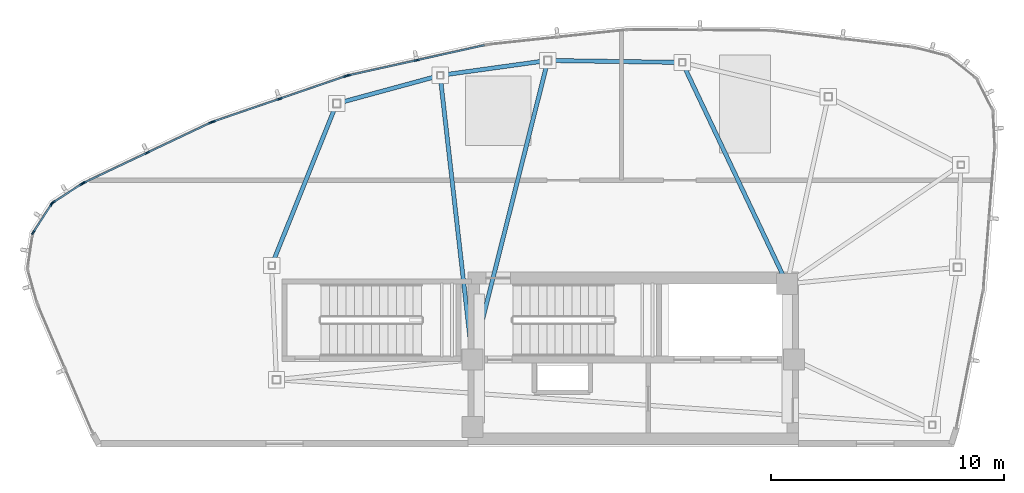
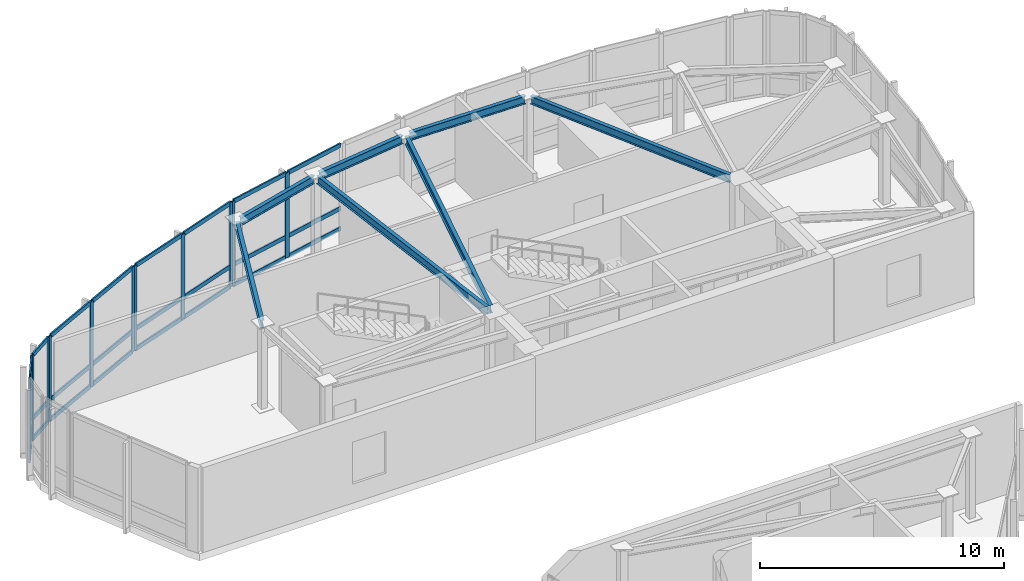
# One storey, part 6 of 15: 36 members, 7 beams, 5 elements without a shape of their own.
"""IFC4 building model written with IfcOpenShell, lengths in metres."""

from ifc_helpers import new_model, si_unit, direction, frame, origin, origin_2d, place, context, subcontext, project, spatial, hollow_rectangle, i_section, extrude, source, transform, mapped, material, layer, layer_set, material_profile, profile_set, type_object, type_shapes, element, aggregate, save


model = new_model("IFC4")

# Units and contexts
model_context = context("Model", 3, precision=1e-05, world=origin(), true_north=direction((0.0, 1.0)))
body_context = subcontext(model_context, "Body", "Model", "MODEL_VIEW")
ifc_project = project(units=[si_unit("LENGTHUNIT", "METRE"), si_unit("AREAUNIT", "SQUARE_METRE"), si_unit("VOLUMEUNIT", "CUBIC_METRE"), si_unit("PLANEANGLEUNIT", "RADIAN"), si_unit("MASSUNIT", "GRAM", prefix="KILO")], contexts=[model_context])

# Site, building, storey
site_placement = place(None, origin())
site = spatial("IfcSite", under=ifc_project, at=site_placement, CompositionType="ELEMENT")
building_placement = place(site_placement, origin())
building = spatial("IfcBuilding", under=site, at=building_placement, Name="Tavelor Broadcast Tower", CompositionType="ELEMENT")
storey_placement = place(building_placement, frame((0.0, 0.0, 341.300048828125)))
storey = spatial("IfcBuildingStorey", under=building, at=storey_placement, Name="L81", CompositionType="ELEMENT", Elevation=341.300048828125)

# Beams
ifc_material_1 = material(Name="Steel S355", Category="steel")
ifc_material_profile_1 = material_profile(ifc_material_1, i_section(OverallWidth=0.179931640625, OverallDepth=0.39990234375, WebThickness=0.008544921875, FlangeThickness=0.013427734375, at=origin_2d()), Name="IPE 400")
ifc_profile_set_1 = profile_set([ifc_material_profile_1], Name="Steel S355")
beam_type = type_object("IfcBeamType", Name="Crown Ring Spandrel Beam IPE400", PredefinedType="SPANDREL", material=ifc_profile_set_1)
beam_1_placement = place(storey_placement, frame((37.20654296875, 58.77197265625, 4.050048828125), z_axis=(-0.372319972441, -0.928104432767, 0.0), x_axis=(0.928104432767, -0.372319972441, 0.0)))
element("IfcBeam", 1, at=beam_1_placement, inside=storey, type_object=beam_type, Name="L81 Crown Peak A Ring Spandrel 1", PredefinedType="SPANDREL", context=body_context, shape_type="SweptSolid", body=[
    extrude(i_section(OverallWidth=0.179931640625, OverallDepth=0.39990234375, WebThickness=0.008544921875, FlangeThickness=0.013427734375, at=origin_2d()), origin(), (0.0, 0.0, 1.0), 7.1552734375),
])
beam_2_placement = place(storey_placement, frame((51.950927734375, 60.703857421875, 4.050048828125), z_axis=(-0.999890824975, 0.01477626921, 0.0), x_axis=(-0.01477626921, -0.999890824975, 0.0)))
element("IfcBeam", 2, at=beam_2_placement, inside=storey, type_object=beam_type, Name="L81 Crown Peak A Ring Spandrel 8", PredefinedType="SPANDREL", context=body_context, shape_type="SweptSolid", body=[
    extrude(i_section(OverallWidth=0.179931640625, OverallDepth=0.39990234375, WebThickness=0.008544921875, FlangeThickness=0.013427734375, at=origin_2d()), origin(), (0.0, 0.0, 1.0), 5.435791015625),
])
beam_3_placement = place(storey_placement, frame((56.415283203125, 51.590576171875, 4.050048828125), z_axis=(-0.427748000898, 0.903898029497, 0.0), x_axis=(-0.903898029497, -0.427748000898, 0.0)))
element("IfcBeam", 3, at=beam_3_placement, inside=storey, type_object=beam_type, Name="L81 Crown Peak A Radial Beam 8", PredefinedType="SPANDREL", context=body_context, shape_type="SweptSolid", body=[
    extrude(i_section(OverallWidth=0.179931640625, OverallDepth=0.39990234375, WebThickness=0.008544921875, FlangeThickness=0.013427734375, at=origin_2d()), origin(), (0.0, 0.0, 1.0), 9.926513671875),
])
beam_4_placement = place(storey_placement, frame((46.160400390625, 60.762451171875, 4.050048828125), z_axis=(-0.990512514029, -0.13742255838, 0.0), x_axis=(0.13742255838, -0.990512514029, 0.0)))
element("IfcBeam", 4, at=beam_4_placement, inside=storey, type_object=beam_type, Name="L81 Crown Peak A Ring Spandrel 9", PredefinedType="SPANDREL", context=body_context, shape_type="SweptSolid", body=[
    extrude(i_section(OverallWidth=0.179931640625, OverallDepth=0.39990234375, WebThickness=0.008544921875, FlangeThickness=0.013427734375, at=origin_2d()), origin(), (0.0, 0.0, 1.0), 4.334716796875),
])
beam_5_placement = place(storey_placement, frame((43.20556640625, 48.368896484375, 4.050048828125), z_axis=(0.244522996769, 0.969643493275, 0.0), x_axis=(-0.969643493275, 0.244522996769, 0.0)))
element("IfcBeam", 5, at=beam_5_placement, inside=storey, type_object=beam_type, Name="L81 Crown Peak A Radial Beam 9", PredefinedType="SPANDREL", context=body_context, shape_type="SweptSolid", body=[
    extrude(i_section(OverallWidth=0.179931640625, OverallDepth=0.39990234375, WebThickness=0.008544921875, FlangeThickness=0.013427734375, at=origin_2d()), origin(), (0.0, 0.0, 1.0), 12.628173828125),
])
beam_6_placement = place(storey_placement, frame((41.5673828125, 60.105712890625, 4.050048828125), z_axis=(-0.964933753027, -0.262493528053, 0.0), x_axis=(0.262493528053, -0.964933753027, 0.0)))
element("IfcBeam", 6, at=beam_6_placement, inside=storey, type_object=beam_type, Name="L81 Crown Peak A Ring Spandrel 10", PredefinedType="SPANDREL", context=body_context, shape_type="SweptSolid", body=[
    extrude(i_section(OverallWidth=0.179931640625, OverallDepth=0.39990234375, WebThickness=0.008544921875, FlangeThickness=0.013427734375, at=origin_2d()), origin(), (0.0, 0.0, 1.0), 4.27197265625),
])
beam_7_placement = place(storey_placement, frame((43.05126953125, 48.379150390625, 4.050048828125), z_axis=(-0.112824398256, 0.993614943103, 0.0), x_axis=(-0.993614943103, -0.112824398256, 0.0)))
element("IfcBeam", 7, at=beam_7_placement, inside=storey, type_object=beam_type, Name="L81 Crown Peak A Radial Beam 10", PredefinedType="SPANDREL", context=body_context, shape_type="SweptSolid", body=[
    extrude(i_section(OverallWidth=0.179931640625, OverallDepth=0.39990234375, WebThickness=0.008544921875, FlangeThickness=0.013427734375, at=origin_2d()), origin(), (0.0, 0.0, 1.0), 11.689453125),
])

# Curtain wall, members
ifc_material_2 = material(Name="Architectural Anodized Aluminium", Category="aluminium")
ifc_layer = layer(ifc_material_2, 0.2099609375)
ifc_layer_set = layer_set([ifc_layer], Name="Architectural Anodized Aluminium")
curtain_wall_type = type_object("IfcCurtainWallType", Name="Split-Crown Beacon Curtain Wall CW06", PredefinedType="NOTDEFINED", material=ifc_layer_set)
curtain_wall_1_placement = place(storey_placement, origin())
curtain_wall_1 = element("IfcCurtainWall", 8, at=curtain_wall_1_placement, inside=storey, type_object=curtain_wall_type, Name="L81 Curtain Wall CW06 Run 938", PredefinedType="NOTDEFINED")
ifc_material_profile_2 = material_profile(ifc_material_2, hollow_rectangle(XDim=0.072021484375, YDim=0.2099609375, WallThickness=0.02197265625, at=origin_2d()), Name="RHS 72x210x22")
ifc_profile_set_2 = profile_set([ifc_material_profile_2], Name="Architectural Anodized Aluminium")
member_type_1 = type_object("IfcMemberType", Name="CW06 Extruded Aluminium Mullion 72x210", PredefinedType="MULLION", material=ifc_profile_set_2)
shared_shape_1 = source(origin(), body_context, "Body", "SweptSolid", [
    extrude(hollow_rectangle(XDim=0.072021484375, YDim=0.2099609375, WallThickness=0.02197265625, at=origin_2d()), origin(), (0.0, 0.0, 1.0), 4.25),
])
type_shapes(member_type_1, [shared_shape_1])
member_1_placement = place(storey_placement, frame((40.712158203125, 60.797119140625, 0.0), z_axis=(0.0, 0.0, 1.0), x_axis=(0.216711754214, -0.976235635278, 0.0)))
member_1 = element("IfcMember", 9, at=member_1_placement, type_object=member_type_1, Name="CW06 mullion 2", PredefinedType="MULLION", context=body_context, shape_type="MappedRepresentation", body=[
    mapped(shared_shape_1, transform((0.0, 0.0, 0.0), scale=1.0)),
])
member_2_placement = place(storey_placement, frame((37.76953125, 60.14404296875, 0.0), z_axis=(0.0, 0.0, 1.0), x_axis=(0.216711754214, -0.976235635278, 0.0)))
member_2 = element("IfcMember", 10, at=member_2_placement, type_object=member_type_1, Name="CW06 mullion 3", PredefinedType="MULLION", context=body_context, shape_type="MappedRepresentation", body=[
    mapped(shared_shape_1, transform((0.0, 0.0, 0.0), scale=1.0)),
])

curtain_wall_2_placement = place(storey_placement, origin())
curtain_wall_2 = element("IfcCurtainWall", 11, at=curtain_wall_2_placement, inside=storey, type_object=curtain_wall_type, Name="L81 Curtain Wall CW06 Run 939", PredefinedType="NOTDEFINED")
member_3_placement = place(storey_placement, frame((37.67138671875, 60.116455078125, 0.0), z_axis=(0.0, 0.0, 1.0), x_axis=(0.324727891803, -0.945807483733, 0.0)))
member_3 = element("IfcMember", 12, at=member_3_placement, type_object=member_type_1, Name="CW06 mullion 1", PredefinedType="MULLION", context=body_context, shape_type="MappedRepresentation", body=[
    mapped(shared_shape_1, transform((0.0, 0.0, 0.0), scale=1.0)),
])
member_4_placement = place(storey_placement, frame((34.82080078125, 59.1376953125, 0.0), z_axis=(0.0, 0.0, 1.0), x_axis=(0.324727891803, -0.945807483733, 0.0)))
member_4 = element("IfcMember", 13, at=member_4_placement, type_object=member_type_1, Name="CW06 mullion 2", PredefinedType="MULLION", context=body_context, shape_type="MappedRepresentation", body=[
    mapped(shared_shape_1, transform((0.0, 0.0, 0.0), scale=1.0)),
])
member_5_placement = place(storey_placement, frame((31.969970703125, 58.158935546875, 0.0), z_axis=(0.0, 0.0, 1.0), x_axis=(0.324727891803, -0.945807483733, 0.0)))
member_5 = element("IfcMember", 14, at=member_5_placement, type_object=member_type_1, Name="CW06 mullion 3", PredefinedType="MULLION", context=body_context, shape_type="MappedRepresentation", body=[
    mapped(shared_shape_1, transform((0.0, 0.0, 0.0), scale=1.0)),
])

curtain_wall_3_placement = place(storey_placement, origin())
curtain_wall_3 = element("IfcCurtainWall", 15, at=curtain_wall_3_placement, inside=storey, type_object=curtain_wall_type, Name="L81 Curtain Wall CW06 Run 940", PredefinedType="NOTDEFINED")
member_6_placement = place(storey_placement, frame((31.87548828125, 58.120361328125, 0.0), z_axis=(0.0, 0.0, 1.0), x_axis=(0.428616295259, -0.903486619402, 0.0)))
member_6 = element("IfcMember", 16, at=member_6_placement, type_object=member_type_1, Name="CW06 mullion 1", PredefinedType="MULLION", context=body_context, shape_type="MappedRepresentation", body=[
    mapped(shared_shape_1, transform((0.0, 0.0, 0.0), scale=1.0)),
])
member_7_placement = place(storey_placement, frame((29.15283203125, 56.828857421875, 0.0), z_axis=(0.0, 0.0, 1.0), x_axis=(0.428616295259, -0.903486619402, 0.0)))
member_7 = element("IfcMember", 17, at=member_7_placement, type_object=member_type_1, Name="CW06 mullion 2", PredefinedType="MULLION", context=body_context, shape_type="MappedRepresentation", body=[
    mapped(shared_shape_1, transform((0.0, 0.0, 0.0), scale=1.0)),
])
member_8_placement = place(storey_placement, frame((26.430419921875, 55.537109375, 0.0), z_axis=(0.0, 0.0, 1.0), x_axis=(0.428616295259, -0.903486619402, 0.0)))
member_8 = element("IfcMember", 18, at=member_8_placement, type_object=member_type_1, Name="CW06 mullion 3", PredefinedType="MULLION", context=body_context, shape_type="MappedRepresentation", body=[
    mapped(shared_shape_1, transform((0.0, 0.0, 0.0), scale=1.0)),
])

curtain_wall_4_placement = place(storey_placement, origin())
curtain_wall_4 = element("IfcCurtainWall", 19, at=curtain_wall_4_placement, inside=storey, type_object=curtain_wall_type, Name="L81 Curtain Wall CW06 Run 941", PredefinedType="NOTDEFINED")
member_9_placement = place(storey_placement, frame((26.341552734375, 55.48779296875, 0.0), z_axis=(0.0, 0.0, 1.0), x_axis=(0.542387166107, -0.840128658029, 0.0)))
member_9 = element("IfcMember", 20, at=member_9_placement, type_object=member_type_1, Name="CW06 mullion 1", PredefinedType="MULLION", context=body_context, shape_type="MappedRepresentation", body=[
    mapped(shared_shape_1, transform((0.0, 0.0, 0.0), scale=1.0)),
])
member_10_placement = place(storey_placement, frame((25.115478515625, 54.6962890625, 0.0), z_axis=(0.0, 0.0, 1.0), x_axis=(0.542387166107, -0.840128658029, 0.0)))
member_10 = element("IfcMember", 21, at=member_10_placement, type_object=member_type_1, Name="CW06 mullion 2", PredefinedType="MULLION", context=body_context, shape_type="MappedRepresentation", body=[
    mapped(shared_shape_1, transform((0.0, 0.0, 0.0), scale=1.0)),
])

curtain_wall_5_placement = place(storey_placement, origin())
curtain_wall_5 = element("IfcCurtainWall", 22, at=curtain_wall_5_placement, inside=storey, type_object=curtain_wall_type, Name="L81 Curtain Wall CW06 Run 942", PredefinedType="NOTDEFINED")
member_11_placement = place(storey_placement, frame((25.044921875, 54.625732421875, 0.0), z_axis=(0.0, 0.0, 1.0), x_axis=(0.840120473987, -0.542399842541, 0.0)))
member_11 = element("IfcMember", 23, at=member_11_placement, type_object=member_type_1, Name="CW06 mullion 1", PredefinedType="MULLION", context=body_context, shape_type="MappedRepresentation", body=[
    mapped(shared_shape_1, transform((0.0, 0.0, 0.0), scale=1.0)),
])
member_12_placement = place(storey_placement, frame((24.264892578125, 53.41748046875, 0.0), z_axis=(0.0, 0.0, 1.0), x_axis=(0.840120473987, -0.542399842541, 0.0)))
member_12 = element("IfcMember", 24, at=member_12_placement, type_object=member_type_1, Name="CW06 mullion 2", PredefinedType="MULLION", context=body_context, shape_type="MappedRepresentation", body=[
    mapped(shared_shape_1, transform((0.0, 0.0, 0.0), scale=1.0)),
])

# Member
ifc_material_profile_3 = material_profile(ifc_material_2, hollow_rectangle(XDim=0.072021484375, YDim=0.2099609375, WallThickness=0.02197265625, at=origin_2d()), Name="RHS 72x210x22")
ifc_profile_set_3 = profile_set([ifc_material_profile_3], Name="Architectural Anodized Aluminium")
member_type_2 = type_object("IfcMemberType", Name="CW06 Extruded Aluminium Transom 72x210", PredefinedType="USERDEFINED", material=ifc_profile_set_3)
shared_shape_2 = source(origin(), body_context, "Body", "SweptSolid", [
    extrude(hollow_rectangle(XDim=0.072021484375, YDim=0.2099609375, WallThickness=0.02197265625, at=origin_2d()), origin(), (0.0, 0.0, 1.0), 1.38720703125),
])
member_13_placement = place(storey_placement, frame((26.311279296875, 55.46826171875, 0.035888671875), z_axis=(-0.840136275534, -0.542375366819, 0.0), x_axis=(0.542375366819, -0.840136275534, 0.0)))
member_13 = element("IfcMember", 25, at=member_13_placement, type_object=member_type_2, Name="CW06 transom 1.1", ObjectType="TRANSOM", PredefinedType="USERDEFINED", context=body_context, shape_type="MappedRepresentation", body=[
    mapped(shared_shape_2, transform((0.0, 0.0, 0.0), scale=1.0)),
])

member_14_placement = place(storey_placement, frame((26.311279296875, 55.46826171875, 1.050048828125), z_axis=(-0.840136275534, -0.542375366819, 0.0), x_axis=(0.542375366819, -0.840136275534, 0.0)))
member_14 = element("IfcMember", 26, at=member_14_placement, type_object=member_type_2, Name="CW06 transom 1.2", ObjectType="TRANSOM", PredefinedType="USERDEFINED", context=body_context, shape_type="MappedRepresentation", body=[
    mapped(shared_shape_2, transform((0.0, 0.0, 0.0), scale=1.0)),
])

member_15_placement = place(storey_placement, frame((26.311279296875, 55.46826171875, 4.2138671875), z_axis=(-0.840136275534, -0.542375366819, 0.0), x_axis=(0.542375366819, -0.840136275534, 0.0)))
member_15 = element("IfcMember", 27, at=member_15_placement, type_object=member_type_2, Name="CW06 transom 1.3", ObjectType="TRANSOM", PredefinedType="USERDEFINED", context=body_context, shape_type="MappedRepresentation", body=[
    mapped(shared_shape_2, transform((0.0, 0.0, 0.0), scale=1.0)),
])

aggregate(curtain_wall_4, [member_9, member_10, member_13, member_14, member_15])

shared_shape_3 = source(origin(), body_context, "Body", "SweptSolid", [
    extrude(hollow_rectangle(XDim=0.072021484375, YDim=0.2099609375, WallThickness=0.02197265625, at=origin_2d()), origin(), (0.0, 0.0, 1.0), 1.3662109375),
])
member_16_placement = place(storey_placement, frame((25.025390625, 54.595458984375, 0.035888671875), z_axis=(-0.542391431499, -0.840125904276, 0.0), x_axis=(0.840125904276, -0.542391431499, 0.0)))
member_16 = element("IfcMember", 28, at=member_16_placement, type_object=member_type_2, Name="CW06 transom 1.1", ObjectType="TRANSOM", PredefinedType="USERDEFINED", context=body_context, shape_type="MappedRepresentation", body=[
    mapped(shared_shape_3, transform((0.0, 0.0, 0.0), scale=1.0)),
])

member_17_placement = place(storey_placement, frame((25.025390625, 54.595458984375, 1.050048828125), z_axis=(-0.542391431499, -0.840125904276, 0.0), x_axis=(0.840125904276, -0.542391431499, 0.0)))
member_17 = element("IfcMember", 29, at=member_17_placement, type_object=member_type_2, Name="CW06 transom 1.2", ObjectType="TRANSOM", PredefinedType="USERDEFINED", context=body_context, shape_type="MappedRepresentation", body=[
    mapped(shared_shape_3, transform((0.0, 0.0, 0.0), scale=1.0)),
])

member_18_placement = place(storey_placement, frame((25.025390625, 54.595458984375, 4.2138671875), z_axis=(-0.542391431499, -0.840125904276, 0.0), x_axis=(0.840125904276, -0.542391431499, 0.0)))
member_18 = element("IfcMember", 30, at=member_18_placement, type_object=member_type_2, Name="CW06 transom 1.3", ObjectType="TRANSOM", PredefinedType="USERDEFINED", context=body_context, shape_type="MappedRepresentation", body=[
    mapped(shared_shape_3, transform((0.0, 0.0, 0.0), scale=1.0)),
])

aggregate(curtain_wall_5, [member_11, member_12, member_16, member_17, member_18])

shared_shape_4 = source(origin(), body_context, "Body", "SweptSolid", [
    extrude(hollow_rectangle(XDim=0.072021484375, YDim=0.2099609375, WallThickness=0.02197265625, at=origin_2d()), origin(), (0.0, 0.0, 1.0), 2.94140625),
])
member_19_placement = place(storey_placement, frame((31.843017578125, 58.10498046875, 0.035888671875), z_axis=(-0.903482473707, -0.428625033921, 0.0), x_axis=(0.428625033921, -0.903482473707, 0.0)))
member_19 = element("IfcMember", 31, at=member_19_placement, type_object=member_type_2, Name="CW06 transom 1.1", ObjectType="TRANSOM", PredefinedType="USERDEFINED", context=body_context, shape_type="MappedRepresentation", body=[
    mapped(shared_shape_4, transform((0.0, 0.0, 0.0), scale=1.0)),
])

member_20_placement = place(storey_placement, frame((31.843017578125, 58.10498046875, 1.050048828125), z_axis=(-0.903482473707, -0.428625033921, 0.0), x_axis=(0.428625033921, -0.903482473707, 0.0)))
member_20 = element("IfcMember", 32, at=member_20_placement, type_object=member_type_2, Name="CW06 transom 1.2", ObjectType="TRANSOM", PredefinedType="USERDEFINED", context=body_context, shape_type="MappedRepresentation", body=[
    mapped(shared_shape_4, transform((0.0, 0.0, 0.0), scale=1.0)),
])

member_21_placement = place(storey_placement, frame((31.843017578125, 58.10498046875, 4.2138671875), z_axis=(-0.903482473707, -0.428625033921, 0.0), x_axis=(0.428625033921, -0.903482473707, 0.0)))
member_21 = element("IfcMember", 33, at=member_21_placement, type_object=member_type_2, Name="CW06 transom 1.3", ObjectType="TRANSOM", PredefinedType="USERDEFINED", context=body_context, shape_type="MappedRepresentation", body=[
    mapped(shared_shape_4, transform((0.0, 0.0, 0.0), scale=1.0)),
])

member_22_placement = place(storey_placement, frame((29.120361328125, 56.8134765625, 0.035888671875), z_axis=(-0.903482473707, -0.428625033921, 0.0), x_axis=(0.428625033921, -0.903482473707, 0.0)))
member_22 = element("IfcMember", 34, at=member_22_placement, type_object=member_type_2, Name="CW06 transom 2.1", ObjectType="TRANSOM", PredefinedType="USERDEFINED", context=body_context, shape_type="MappedRepresentation", body=[
    mapped(shared_shape_4, transform((0.0, 0.0, 0.0), scale=1.0)),
])

member_23_placement = place(storey_placement, frame((29.120361328125, 56.8134765625, 1.050048828125), z_axis=(-0.903482473707, -0.428625033921, 0.0), x_axis=(0.428625033921, -0.903482473707, 0.0)))
member_23 = element("IfcMember", 35, at=member_23_placement, type_object=member_type_2, Name="CW06 transom 2.2", ObjectType="TRANSOM", PredefinedType="USERDEFINED", context=body_context, shape_type="MappedRepresentation", body=[
    mapped(shared_shape_4, transform((0.0, 0.0, 0.0), scale=1.0)),
])

member_24_placement = place(storey_placement, frame((29.120361328125, 56.8134765625, 4.2138671875), z_axis=(-0.903482473707, -0.428625033921, 0.0), x_axis=(0.428625033921, -0.903482473707, 0.0)))
member_24 = element("IfcMember", 36, at=member_24_placement, type_object=member_type_2, Name="CW06 transom 2.3", ObjectType="TRANSOM", PredefinedType="USERDEFINED", context=body_context, shape_type="MappedRepresentation", body=[
    mapped(shared_shape_4, transform((0.0, 0.0, 0.0), scale=1.0)),
])

aggregate(curtain_wall_3, [member_6, member_7, member_8, member_19, member_20, member_21, member_22, member_23, member_24])

shared_shape_5 = source(origin(), body_context, "Body", "SweptSolid", [
    extrude(hollow_rectangle(XDim=0.072021484375, YDim=0.2099609375, WallThickness=0.02197265625, at=origin_2d()), origin(), (0.0, 0.0, 1.0), 2.94189453125),
])
member_25_placement = place(storey_placement, frame((43.619384765625, 61.442626953125, 0.035888671875), z_axis=(-0.976226095753, -0.216754723063, 0.0), x_axis=(0.216754723063, -0.976226095753, 0.0)))
member_25 = element("IfcMember", 37, at=member_25_placement, type_object=member_type_2, Name="CW06 transom 1.1", ObjectType="TRANSOM", PredefinedType="USERDEFINED", context=body_context, shape_type="MappedRepresentation", body=[
    mapped(shared_shape_5, transform((0.0, 0.0, 0.0), scale=1.0)),
])

member_26_placement = place(storey_placement, frame((43.619384765625, 61.442626953125, 1.050048828125), z_axis=(-0.976226095753, -0.216754723063, 0.0), x_axis=(0.216754723063, -0.976226095753, 0.0)))
member_26 = element("IfcMember", 38, at=member_26_placement, type_object=member_type_2, Name="CW06 transom 1.2", ObjectType="TRANSOM", PredefinedType="USERDEFINED", context=body_context, shape_type="MappedRepresentation", body=[
    mapped(shared_shape_5, transform((0.0, 0.0, 0.0), scale=1.0)),
])

member_27_placement = place(storey_placement, frame((43.619384765625, 61.442626953125, 4.2138671875), z_axis=(-0.976226095753, -0.216754723063, 0.0), x_axis=(0.216754723063, -0.976226095753, 0.0)))
member_27 = element("IfcMember", 39, at=member_27_placement, type_object=member_type_2, Name="CW06 transom 1.3", ObjectType="TRANSOM", PredefinedType="USERDEFINED", context=body_context, shape_type="MappedRepresentation", body=[
    mapped(shared_shape_5, transform((0.0, 0.0, 0.0), scale=1.0)),
])

shared_shape_6 = source(origin(), body_context, "Body", "SweptSolid", [
    extrude(hollow_rectangle(XDim=0.072021484375, YDim=0.2099609375, WallThickness=0.02197265625, at=origin_2d()), origin(), (0.0, 0.0, 1.0), 2.942138671875),
])
type_shapes(member_type_2, [shared_shape_2, shared_shape_3, shared_shape_4, shared_shape_5, shared_shape_6])
member_28_placement = place(storey_placement, frame((40.677001953125, 60.789306640625, 0.035888671875), z_axis=(-0.976247548022, -0.216658083118, 0.0), x_axis=(0.216658083118, -0.976247548022, 0.0)))
member_28 = element("IfcMember", 40, at=member_28_placement, type_object=member_type_2, Name="CW06 transom 2.1", ObjectType="TRANSOM", PredefinedType="USERDEFINED", context=body_context, shape_type="MappedRepresentation", body=[
    mapped(shared_shape_6, transform((0.0, 0.0, 0.0), scale=1.0)),
])

member_29_placement = place(storey_placement, frame((40.677001953125, 60.789306640625, 1.050048828125), z_axis=(-0.976247548022, -0.216658083118, 0.0), x_axis=(0.216658083118, -0.976247548022, 0.0)))
member_29 = element("IfcMember", 41, at=member_29_placement, type_object=member_type_2, Name="CW06 transom 2.2", ObjectType="TRANSOM", PredefinedType="USERDEFINED", context=body_context, shape_type="MappedRepresentation", body=[
    mapped(shared_shape_6, transform((0.0, 0.0, 0.0), scale=1.0)),
])

member_30_placement = place(storey_placement, frame((40.677001953125, 60.789306640625, 4.2138671875), z_axis=(-0.976247548022, -0.216658083118, 0.0), x_axis=(0.216658083118, -0.976247548022, 0.0)))
member_30 = element("IfcMember", 42, at=member_30_placement, type_object=member_type_2, Name="CW06 transom 2.3", ObjectType="TRANSOM", PredefinedType="USERDEFINED", context=body_context, shape_type="MappedRepresentation", body=[
    mapped(shared_shape_6, transform((0.0, 0.0, 0.0), scale=1.0)),
])

aggregate(curtain_wall_1, [member_1, member_2, member_25, member_26, member_27, member_28, member_29, member_30])

member_31_placement = place(storey_placement, frame((37.637451171875, 60.104736328125, 0.035888671875), z_axis=(-0.945815670412, -0.324704046177, 0.0), x_axis=(0.324704046177, -0.945815670412, 0.0)))
member_31 = element("IfcMember", 43, at=member_31_placement, type_object=member_type_2, Name="CW06 transom 1.1", ObjectType="TRANSOM", PredefinedType="USERDEFINED", context=body_context, shape_type="MappedRepresentation", body=[
    mapped(shared_shape_6, transform((0.0, 0.0, 0.0), scale=1.0)),
])

member_32_placement = place(storey_placement, frame((37.637451171875, 60.104736328125, 1.050048828125), z_axis=(-0.945815670412, -0.324704046177, 0.0), x_axis=(0.324704046177, -0.945815670412, 0.0)))
member_32 = element("IfcMember", 44, at=member_32_placement, type_object=member_type_2, Name="CW06 transom 1.2", ObjectType="TRANSOM", PredefinedType="USERDEFINED", context=body_context, shape_type="MappedRepresentation", body=[
    mapped(shared_shape_6, transform((0.0, 0.0, 0.0), scale=1.0)),
])

member_33_placement = place(storey_placement, frame((37.637451171875, 60.104736328125, 4.2138671875), z_axis=(-0.945815670412, -0.324704046177, 0.0), x_axis=(0.324704046177, -0.945815670412, 0.0)))
member_33 = element("IfcMember", 45, at=member_33_placement, type_object=member_type_2, Name="CW06 transom 1.3", ObjectType="TRANSOM", PredefinedType="USERDEFINED", context=body_context, shape_type="MappedRepresentation", body=[
    mapped(shared_shape_6, transform((0.0, 0.0, 0.0), scale=1.0)),
])

member_34_placement = place(storey_placement, frame((34.78662109375, 59.1259765625, 0.035888671875), z_axis=(-0.945815670412, -0.324704046177, 0.0), x_axis=(0.324704046177, -0.945815670412, 0.0)))
member_34 = element("IfcMember", 46, at=member_34_placement, type_object=member_type_2, Name="CW06 transom 2.1", ObjectType="TRANSOM", PredefinedType="USERDEFINED", context=body_context, shape_type="MappedRepresentation", body=[
    mapped(shared_shape_6, transform((0.0, 0.0, 0.0), scale=1.0)),
])

member_35_placement = place(storey_placement, frame((34.78662109375, 59.1259765625, 1.050048828125), z_axis=(-0.945815670412, -0.324704046177, 0.0), x_axis=(0.324704046177, -0.945815670412, 0.0)))
member_35 = element("IfcMember", 47, at=member_35_placement, type_object=member_type_2, Name="CW06 transom 2.2", ObjectType="TRANSOM", PredefinedType="USERDEFINED", context=body_context, shape_type="MappedRepresentation", body=[
    mapped(shared_shape_6, transform((0.0, 0.0, 0.0), scale=1.0)),
])

member_36_placement = place(storey_placement, frame((34.78662109375, 59.1259765625, 4.2138671875), z_axis=(-0.945815670412, -0.324704046177, 0.0), x_axis=(0.324704046177, -0.945815670412, 0.0)))
member_36 = element("IfcMember", 48, at=member_36_placement, type_object=member_type_2, Name="CW06 transom 2.3", ObjectType="TRANSOM", PredefinedType="USERDEFINED", context=body_context, shape_type="MappedRepresentation", body=[
    mapped(shared_shape_6, transform((0.0, 0.0, 0.0), scale=1.0)),
])

aggregate(curtain_wall_2, [member_3, member_4, member_5, member_31, member_32, member_33, member_34, member_35, member_36])

save(model, "model.ifc")
